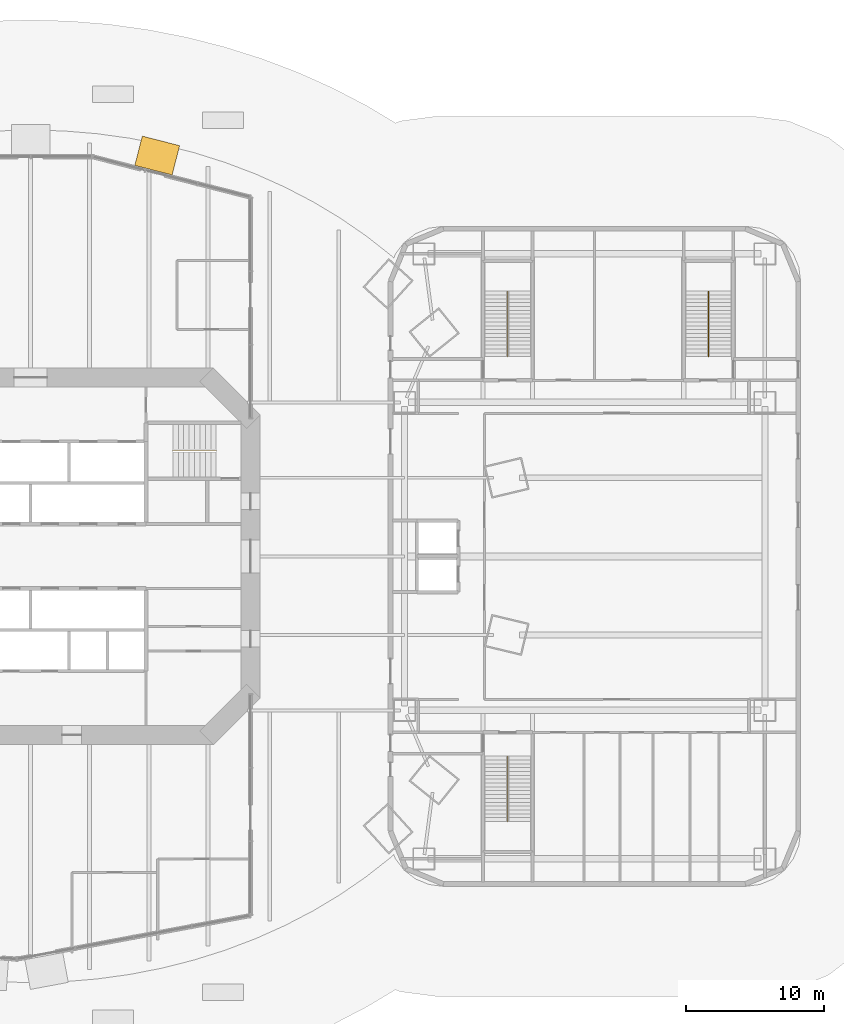
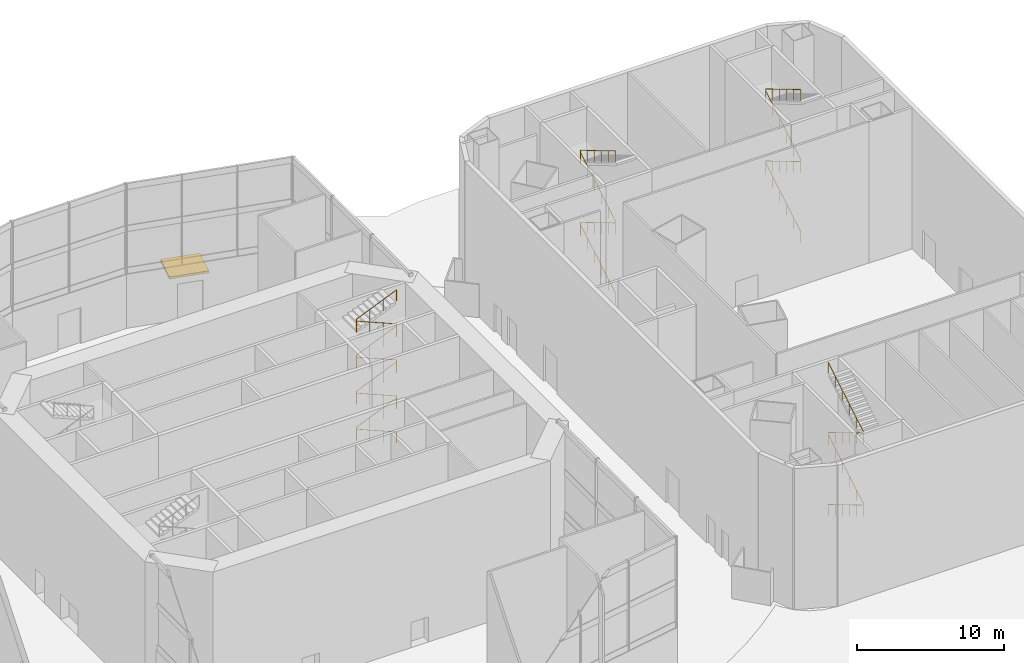
# One storey, part 22 of 23: 4 railings, 1 shading device.
"""IFC4 building model written with IfcOpenShell, lengths in metres."""

from ifc_helpers import new_model, si_unit, direction, frame, origin, origin_2d, place, context, subcontext, project, spatial, rectangle, circle, extrude, material, layer, layer_set, type_object, element, save


model = new_model("IFC4")

# Units and contexts
model_context = context("Model", 3, precision=1e-05, world=origin(), true_north=direction((0.0, 1.0)))
body_context = subcontext(model_context, "Body", "Model", "MODEL_VIEW")
ifc_project = project(units=[si_unit("LENGTHUNIT", "METRE"), si_unit("AREAUNIT", "SQUARE_METRE"), si_unit("VOLUMEUNIT", "CUBIC_METRE"), si_unit("PLANEANGLEUNIT", "RADIAN"), si_unit("MASSUNIT", "GRAM", prefix="KILO")], contexts=[model_context])

# Site, building, storey
site_placement = place(None, origin())
site = spatial("IfcSite", under=ifc_project, at=site_placement, CompositionType="ELEMENT")
building_placement = place(site_placement, origin())
building = spatial("IfcBuilding", under=site, at=building_placement, Name="Marenthal Gate Tower", CompositionType="ELEMENT")
storey_placement = place(building_placement, origin())
storey = spatial("IfcBuildingStorey", under=building, at=storey_placement, Name="L00", CompositionType="ELEMENT", Elevation=0.0)

# Shading device
ifc_material_1 = material(Name="Steel and glass canopy", Category="steel")
ifc_layer = layer(ifc_material_1, 0.179931640625)
ifc_layer_set = layer_set([ifc_layer], Name="Entrance canopy")
shading_device_type = type_object("IfcShadingDeviceType", Name="Entrance canopy", PredefinedType="USERDEFINED", material=ifc_layer_set)
shading_device_placement = place(storey_placement, frame((9.20849609375, 29.14599609375, 3.2998046875), z_axis=(0.0, 0.0, 1.0), x_axis=(0.968768898542, -0.247965362941, 0.0)))
element("IfcShadingDevice", 1, at=shading_device_placement, inside=storey, type_object=shading_device_type, Name="Entrance canopy XD-N-HALL-3", ObjectType="ENTRANCE CANOPY", PredefinedType="USERDEFINED", context=body_context, shape_type="SweptSolid", body=[
    extrude(rectangle(XDim=2.800048828125, YDim=2.199951171875, at=origin_2d()), origin(), (0.0, 0.0, 1.0), 0.179931640625),
])

# Railings
ifc_material_2 = material(Name="Stainless steel", Category="steel")
railing_type = type_object("IfcRailingType", Name="Stair handrail", PredefinedType="HANDRAIL", material=ifc_material_2)
railing_1_placement = place(storey_placement, frame((13.5, 7.675048828125, 0.166748046875)))
element("IfcRailing", 2, at=railing_1_placement, inside=storey, type_object=railing_type, Name="Handrail ST3", PredefinedType="HANDRAIL", context=body_context, shape_type="SweptSolid", body=[
    extrude(circle(Radius=0.0224609375, at=origin_2d()), frame((0.0, 0.0, 0.927490234375), z_axis=(-0.920893345203, 0.0, 0.389814631281), x_axis=(0.0, -1.0, 0.0)), (0.0, 0.0, 1.0), 3.420166015625),
    extrude(circle(Radius=0.0224609375, at=origin_2d()), frame((-3.149658203125, 0.0, 2.2607421875), z_axis=(0.0, 0.0, 1.0), x_axis=(1.0, 0.0, 0.0)), (0.0, 0.0, 1.0), 0.166748046875),
    extrude(circle(Radius=0.0224609375, at=origin_2d()), frame((-3.149658203125, 0.0, 2.427490234375), z_axis=(0.920893345203, 0.0, 0.389814631281), x_axis=(0.0, 1.0, 0.0)), (0.0, 0.0, 1.0), 3.420166015625),
    extrude(circle(Radius=0.0224609375, at=origin_2d()), frame((0.0, 0.0, 3.7607421875), z_axis=(0.0, 0.0, 1.0), x_axis=(1.0, 0.0, 0.0)), (0.0, 0.0, 1.0), 0.166748046875),
    extrude(circle(Radius=0.0224609375, at=origin_2d()), frame((0.0, 0.0, 3.927490234375), z_axis=(-0.920893345203, 0.0, 0.389814631281), x_axis=(0.0, -1.0, 0.0)), (0.0, 0.0, 1.0), 3.420166015625),
    extrude(circle(Radius=0.0224609375, at=origin_2d()), frame((-3.149658203125, 0.0, 5.2607421875), z_axis=(0.0, 0.0, 1.0), x_axis=(1.0, 0.0, 0.0)), (0.0, 0.0, 1.0), 0.166748046875),
    extrude(circle(Radius=0.0224609375, at=origin_2d()), frame((-3.149658203125, 0.0, 5.427490234375), z_axis=(0.920893345203, 0.0, 0.389814631281), x_axis=(0.0, 1.0, 0.0)), (0.0, 0.0, 1.0), 3.420166015625),
    extrude(circle(Radius=0.0224609375, at=origin_2d()), frame((0.0, 0.0, 6.7607421875), z_axis=(0.0, 0.0, 1.0), x_axis=(1.0, 0.0, 0.0)), (0.0, 0.0, 1.0), 0.166748046875),
    extrude(circle(Radius=0.0224609375, at=origin_2d()), frame((0.0, 0.0, 6.927490234375), z_axis=(-0.920893345203, 0.0, 0.389814631281), x_axis=(0.0, -1.0, 0.0)), (0.0, 0.0, 1.0), 3.420166015625),
    extrude(circle(Radius=0.0224609375, at=origin_2d()), frame((-3.149658203125, 0.0, 8.2607421875), z_axis=(0.0, 0.0, 1.0), x_axis=(1.0, 0.0, 0.0)), (0.0, 0.0, 1.0), 0.166748046875),
    extrude(circle(Radius=0.0224609375, at=origin_2d()), frame((-3.149658203125, 0.0, 8.427490234375), z_axis=(0.920893345203, 0.0, 0.389814631281), x_axis=(0.0, 1.0, 0.0)), (0.0, 0.0, 1.0), 3.420166015625),
    extrude(circle(Radius=0.0224609375, at=origin_2d()), frame((0.0, 0.0, 9.7607421875), z_axis=(0.0, 0.0, 1.0), x_axis=(1.0, 0.0, 0.0)), (0.0, 0.0, 1.0), 0.166748046875),
    extrude(circle(Radius=0.0224609375, at=origin_2d()), frame((0.0, 0.0, 9.927490234375), z_axis=(-0.920893345203, 0.0, 0.389814631281), x_axis=(0.0, -1.0, 0.0)), (0.0, 0.0, 1.0), 3.420166015625),
    extrude(circle(Radius=0.0224609375, at=origin_2d()), frame((-3.149658203125, 0.0, 11.2607421875), z_axis=(0.0, 0.0, 1.0), x_axis=(1.0, 0.0, 0.0)), (0.0, 0.0, 1.0), 0.166748046875),
    extrude(circle(Radius=0.0224609375, at=origin_2d()), frame((-3.149658203125, 0.0, 11.427490234375), z_axis=(0.920893345203, 0.0, 0.389814631281), x_axis=(0.0, 1.0, 0.0)), (0.0, 0.0, 1.0), 3.420166015625),
    extrude(circle(Radius=0.02001953125, at=origin_2d()), origin(), (0.0, 0.0, 1.0), 0.905029296875),
    extrude(circle(Radius=0.02001953125, at=origin_2d()), frame((-1.0498046875, 0.0, 0.4443359375)), (0.0, 0.0, 1.0), 0.905029296875),
    extrude(circle(Radius=0.02001953125, at=origin_2d()), frame((-2.099853515625, 0.0, 0.888916015625)), (0.0, 0.0, 1.0), 0.905029296875),
    extrude(circle(Radius=0.02001953125, at=origin_2d()), frame((-3.149658203125, 0.0, 1.333251953125)), (0.0, 0.0, 1.0), 0.905029296875),
    extrude(circle(Radius=0.02001953125, at=origin_2d()), frame((-3.149658203125, 0.0, 1.5)), (0.0, 0.0, 1.0), 0.905029296875),
    extrude(circle(Radius=0.02001953125, at=origin_2d()), frame((-2.099853515625, 0.0, 1.9443359375)), (0.0, 0.0, 1.0), 0.905029296875),
    extrude(circle(Radius=0.02001953125, at=origin_2d()), frame((-1.0498046875, 0.0, 2.388916015625)), (0.0, 0.0, 1.0), 0.905029296875),
    extrude(circle(Radius=0.02001953125, at=origin_2d()), frame((0.0, 0.0, 2.833251953125)), (0.0, 0.0, 1.0), 0.905029296875),
    extrude(circle(Radius=0.02001953125, at=origin_2d()), frame((0.0, 0.0, 3.0)), (0.0, 0.0, 1.0), 0.905029296875),
    extrude(circle(Radius=0.02001953125, at=origin_2d()), frame((-1.0498046875, 0.0, 3.4443359375)), (0.0, 0.0, 1.0), 0.905029296875),
    extrude(circle(Radius=0.02001953125, at=origin_2d()), frame((-2.099853515625, 0.0, 3.888916015625)), (0.0, 0.0, 1.0), 0.905029296875),
    extrude(circle(Radius=0.02001953125, at=origin_2d()), frame((-3.149658203125, 0.0, 4.333251953125)), (0.0, 0.0, 1.0), 0.905029296875),
    extrude(circle(Radius=0.02001953125, at=origin_2d()), frame((-3.149658203125, 0.0, 4.5)), (0.0, 0.0, 1.0), 0.905029296875),
    extrude(circle(Radius=0.02001953125, at=origin_2d()), frame((-2.099853515625, 0.0, 4.9443359375)), (0.0, 0.0, 1.0), 0.905029296875),
    extrude(circle(Radius=0.02001953125, at=origin_2d()), frame((-1.0498046875, 0.0, 5.388916015625)), (0.0, 0.0, 1.0), 0.905029296875),
    extrude(circle(Radius=0.02001953125, at=origin_2d()), frame((0.0, 0.0, 5.833251953125)), (0.0, 0.0, 1.0), 0.905029296875),
    extrude(circle(Radius=0.02001953125, at=origin_2d()), frame((0.0, 0.0, 6.0)), (0.0, 0.0, 1.0), 0.905029296875),
    extrude(circle(Radius=0.02001953125, at=origin_2d()), frame((-1.0498046875, 0.0, 6.4443359375)), (0.0, 0.0, 1.0), 0.905029296875),
    extrude(circle(Radius=0.02001953125, at=origin_2d()), frame((-2.099853515625, 0.0, 6.888916015625)), (0.0, 0.0, 1.0), 0.905029296875),
    extrude(circle(Radius=0.02001953125, at=origin_2d()), frame((-3.149658203125, 0.0, 7.333251953125)), (0.0, 0.0, 1.0), 0.905029296875),
    extrude(circle(Radius=0.02001953125, at=origin_2d()), frame((-3.149658203125, 0.0, 7.5)), (0.0, 0.0, 1.0), 0.905029296875),
    extrude(circle(Radius=0.02001953125, at=origin_2d()), frame((-2.099853515625, 0.0, 7.9443359375)), (0.0, 0.0, 1.0), 0.905029296875),
    extrude(circle(Radius=0.02001953125, at=origin_2d()), frame((-1.0498046875, 0.0, 8.388916015625)), (0.0, 0.0, 1.0), 0.905029296875),
    extrude(circle(Radius=0.02001953125, at=origin_2d()), frame((0.0, 0.0, 8.833251953125)), (0.0, 0.0, 1.0), 0.905029296875),
    extrude(circle(Radius=0.02001953125, at=origin_2d()), frame((0.0, 0.0, 9.0)), (0.0, 0.0, 1.0), 0.905029296875),
    extrude(circle(Radius=0.02001953125, at=origin_2d()), frame((-1.0498046875, 0.0, 9.4443359375)), (0.0, 0.0, 1.0), 0.905029296875),
    extrude(circle(Radius=0.02001953125, at=origin_2d()), frame((-2.099853515625, 0.0, 9.888916015625)), (0.0, 0.0, 1.0), 0.905029296875),
    extrude(circle(Radius=0.02001953125, at=origin_2d()), frame((-3.149658203125, 0.0, 10.333251953125)), (0.0, 0.0, 1.0), 0.905029296875),
    extrude(circle(Radius=0.02001953125, at=origin_2d()), frame((-3.149658203125, 0.0, 10.5)), (0.0, 0.0, 1.0), 0.905029296875),
    extrude(circle(Radius=0.02001953125, at=origin_2d()), frame((-2.099853515625, 0.0, 10.9443359375)), (0.0, 0.0, 1.0), 0.905029296875),
    extrude(circle(Radius=0.02001953125, at=origin_2d()), frame((-1.0498046875, 0.0, 11.388916015625)), (0.0, 0.0, 1.0), 0.905029296875),
    extrude(circle(Radius=0.02001953125, at=origin_2d()), frame((0.0, 0.0, 11.833251953125)), (0.0, 0.0, 1.0), 0.905029296875),
])
railing_2_placement = place(storey_placement, frame((34.699951171875, 14.52490234375, 0.166748046875)))
element("IfcRailing", 3, at=railing_2_placement, inside=storey, type_object=railing_type, Name="Handrail E1", PredefinedType="HANDRAIL", context=body_context, shape_type="SweptSolid", body=[
    extrude(circle(Radius=0.0224609375, at=origin_2d()), frame((0.0, 0.0, 0.927490234375), z_axis=(0.0, 0.859299802514, 0.511472237174), x_axis=(-1.0, 0.0, 0.0)), (0.0, 0.0, 1.0), 5.539306640625),
    extrude(circle(Radius=0.0224609375, at=origin_2d()), frame((0.0, 4.760009765625, 3.7607421875), z_axis=(0.0, 0.0, 1.0), x_axis=(1.0, 0.0, 0.0)), (0.0, 0.0, 1.0), 0.166748046875),
    extrude(circle(Radius=0.0224609375, at=origin_2d()), frame((0.0, 4.760009765625, 3.927490234375), z_axis=(0.0, -0.859299802514, 0.511472237174), x_axis=(1.0, 0.0, 0.0)), (0.0, 0.0, 1.0), 5.539306640625),
    extrude(circle(Radius=0.0224609375, at=origin_2d()), frame((0.0, 0.0, 6.7607421875), z_axis=(0.0, 0.0, 1.0), x_axis=(1.0, 0.0, 0.0)), (0.0, 0.0, 1.0), 0.166748046875),
    extrude(circle(Radius=0.0224609375, at=origin_2d()), frame((0.0, 0.0, 6.927490234375), z_axis=(0.0, 0.859299802514, 0.511472237174), x_axis=(-1.0, 0.0, 0.0)), (0.0, 0.0, 1.0), 5.539306640625),
    extrude(circle(Radius=0.0224609375, at=origin_2d()), frame((0.0, 4.760009765625, 9.7607421875), z_axis=(0.0, 0.0, 1.0), x_axis=(1.0, 0.0, 0.0)), (0.0, 0.0, 1.0), 0.166748046875),
    extrude(circle(Radius=0.0224609375, at=origin_2d()), frame((0.0, 4.760009765625, 9.927490234375), z_axis=(0.0, -0.859299802514, 0.511472237174), x_axis=(1.0, 0.0, 0.0)), (0.0, 0.0, 1.0), 5.539306640625),
    extrude(circle(Radius=0.02001953125, at=origin_2d()), origin(), (0.0, 0.0, 1.0), 0.905029296875),
    extrude(circle(Radius=0.02001953125, at=origin_2d()), frame((0.0, 0.951904296875, 0.566650390625)), (0.0, 0.0, 1.0), 0.905029296875),
    extrude(circle(Radius=0.02001953125, at=origin_2d()), frame((0.0, 1.904052734375, 1.13330078125)), (0.0, 0.0, 1.0), 0.905029296875),
    extrude(circle(Radius=0.02001953125, at=origin_2d()), frame((0.0, 2.85595703125, 1.699951171875)), (0.0, 0.0, 1.0), 0.905029296875),
    extrude(circle(Radius=0.02001953125, at=origin_2d()), frame((0.0, 3.80810546875, 2.2666015625)), (0.0, 0.0, 1.0), 0.905029296875),
    extrude(circle(Radius=0.02001953125, at=origin_2d()), frame((0.0, 4.760009765625, 2.833251953125)), (0.0, 0.0, 1.0), 0.905029296875),
    extrude(circle(Radius=0.02001953125, at=origin_2d()), frame((0.0, 4.760009765625, 3.0)), (0.0, 0.0, 1.0), 0.905029296875),
    extrude(circle(Radius=0.02001953125, at=origin_2d()), frame((0.0, 3.80810546875, 3.566650390625)), (0.0, 0.0, 1.0), 0.905029296875),
    extrude(circle(Radius=0.02001953125, at=origin_2d()), frame((0.0, 2.85595703125, 4.13330078125)), (0.0, 0.0, 1.0), 0.905029296875),
    extrude(circle(Radius=0.02001953125, at=origin_2d()), frame((0.0, 1.904052734375, 4.699951171875)), (0.0, 0.0, 1.0), 0.905029296875),
    extrude(circle(Radius=0.02001953125, at=origin_2d()), frame((0.0, 0.951904296875, 5.2666015625)), (0.0, 0.0, 1.0), 0.905029296875),
    extrude(circle(Radius=0.02001953125, at=origin_2d()), frame((0.0, 0.0, 5.833251953125)), (0.0, 0.0, 1.0), 0.905029296875),
    extrude(circle(Radius=0.02001953125, at=origin_2d()), frame((0.0, 0.0, 6.0)), (0.0, 0.0, 1.0), 0.905029296875),
    extrude(circle(Radius=0.02001953125, at=origin_2d()), frame((0.0, 0.951904296875, 6.566650390625)), (0.0, 0.0, 1.0), 0.905029296875),
    extrude(circle(Radius=0.02001953125, at=origin_2d()), frame((0.0, 1.904052734375, 7.13330078125)), (0.0, 0.0, 1.0), 0.905029296875),
    extrude(circle(Radius=0.02001953125, at=origin_2d()), frame((0.0, 2.85595703125, 7.699951171875)), (0.0, 0.0, 1.0), 0.905029296875),
    extrude(circle(Radius=0.02001953125, at=origin_2d()), frame((0.0, 3.80810546875, 8.2666015625)), (0.0, 0.0, 1.0), 0.905029296875),
    extrude(circle(Radius=0.02001953125, at=origin_2d()), frame((0.0, 4.760009765625, 8.833251953125)), (0.0, 0.0, 1.0), 0.905029296875),
    extrude(circle(Radius=0.02001953125, at=origin_2d()), frame((0.0, 4.760009765625, 9.0)), (0.0, 0.0, 1.0), 0.905029296875),
    extrude(circle(Radius=0.02001953125, at=origin_2d()), frame((0.0, 3.80810546875, 9.566650390625)), (0.0, 0.0, 1.0), 0.905029296875),
    extrude(circle(Radius=0.02001953125, at=origin_2d()), frame((0.0, 2.85595703125, 10.13330078125)), (0.0, 0.0, 1.0), 0.905029296875),
    extrude(circle(Radius=0.02001953125, at=origin_2d()), frame((0.0, 1.904052734375, 10.699951171875)), (0.0, 0.0, 1.0), 0.905029296875),
    extrude(circle(Radius=0.02001953125, at=origin_2d()), frame((0.0, 0.951904296875, 11.2666015625)), (0.0, 0.0, 1.0), 0.905029296875),
    extrude(circle(Radius=0.02001953125, at=origin_2d()), frame((0.0, 0.0, 11.833251953125)), (0.0, 0.0, 1.0), 0.905029296875),
])
railing_3_placement = place(storey_placement, frame((34.699951171875, -14.52490234375, 0.166748046875)))
element("IfcRailing", 4, at=railing_3_placement, inside=storey, type_object=railing_type, Name="Handrail E2", PredefinedType="HANDRAIL", context=body_context, shape_type="SweptSolid", body=[
    extrude(circle(Radius=0.0224609375, at=origin_2d()), frame((0.0, 0.0, 0.927490234375), z_axis=(0.0, -0.859299802514, 0.511472237174), x_axis=(1.0, 0.0, 0.0)), (0.0, 0.0, 1.0), 5.539306640625),
    extrude(circle(Radius=0.0224609375, at=origin_2d()), frame((0.0, -4.760009765625, 3.7607421875), z_axis=(0.0, 0.0, 1.0), x_axis=(1.0, 0.0, 0.0)), (0.0, 0.0, 1.0), 0.166748046875),
    extrude(circle(Radius=0.0224609375, at=origin_2d()), frame((0.0, -4.760009765625, 3.927490234375), z_axis=(0.0, 0.859299802514, 0.511472237174), x_axis=(-1.0, 0.0, 0.0)), (0.0, 0.0, 1.0), 5.539306640625),
    extrude(circle(Radius=0.0224609375, at=origin_2d()), frame((0.0, 0.0, 6.7607421875), z_axis=(0.0, 0.0, 1.0), x_axis=(1.0, 0.0, 0.0)), (0.0, 0.0, 1.0), 0.166748046875),
    extrude(circle(Radius=0.0224609375, at=origin_2d()), frame((0.0, 0.0, 6.927490234375), z_axis=(0.0, -0.859299802514, 0.511472237174), x_axis=(1.0, 0.0, 0.0)), (0.0, 0.0, 1.0), 5.539306640625),
    extrude(circle(Radius=0.0224609375, at=origin_2d()), frame((0.0, -4.760009765625, 9.7607421875), z_axis=(0.0, 0.0, 1.0), x_axis=(1.0, 0.0, 0.0)), (0.0, 0.0, 1.0), 0.166748046875),
    extrude(circle(Radius=0.0224609375, at=origin_2d()), frame((0.0, -4.760009765625, 9.927490234375), z_axis=(0.0, 0.859299802514, 0.511472237174), x_axis=(-1.0, 0.0, 0.0)), (0.0, 0.0, 1.0), 5.539306640625),
    extrude(circle(Radius=0.02001953125, at=origin_2d()), origin(), (0.0, 0.0, 1.0), 0.905029296875),
    extrude(circle(Radius=0.02001953125, at=origin_2d()), frame((0.0, -0.951904296875, 0.566650390625)), (0.0, 0.0, 1.0), 0.905029296875),
    extrude(circle(Radius=0.02001953125, at=origin_2d()), frame((0.0, -1.904052734375, 1.13330078125)), (0.0, 0.0, 1.0), 0.905029296875),
    extrude(circle(Radius=0.02001953125, at=origin_2d()), frame((0.0, -2.85595703125, 1.699951171875)), (0.0, 0.0, 1.0), 0.905029296875),
    extrude(circle(Radius=0.02001953125, at=origin_2d()), frame((0.0, -3.80810546875, 2.2666015625)), (0.0, 0.0, 1.0), 0.905029296875),
    extrude(circle(Radius=0.02001953125, at=origin_2d()), frame((0.0, -4.760009765625, 2.833251953125)), (0.0, 0.0, 1.0), 0.905029296875),
    extrude(circle(Radius=0.02001953125, at=origin_2d()), frame((0.0, -4.760009765625, 3.0)), (0.0, 0.0, 1.0), 0.905029296875),
    extrude(circle(Radius=0.02001953125, at=origin_2d()), frame((0.0, -3.80810546875, 3.566650390625)), (0.0, 0.0, 1.0), 0.905029296875),
    extrude(circle(Radius=0.02001953125, at=origin_2d()), frame((0.0, -2.85595703125, 4.13330078125)), (0.0, 0.0, 1.0), 0.905029296875),
    extrude(circle(Radius=0.02001953125, at=origin_2d()), frame((0.0, -1.904052734375, 4.699951171875)), (0.0, 0.0, 1.0), 0.905029296875),
    extrude(circle(Radius=0.02001953125, at=origin_2d()), frame((0.0, -0.951904296875, 5.2666015625)), (0.0, 0.0, 1.0), 0.905029296875),
    extrude(circle(Radius=0.02001953125, at=origin_2d()), frame((0.0, 0.0, 5.833251953125)), (0.0, 0.0, 1.0), 0.905029296875),
    extrude(circle(Radius=0.02001953125, at=origin_2d()), frame((0.0, 0.0, 6.0)), (0.0, 0.0, 1.0), 0.905029296875),
    extrude(circle(Radius=0.02001953125, at=origin_2d()), frame((0.0, -0.951904296875, 6.566650390625)), (0.0, 0.0, 1.0), 0.905029296875),
    extrude(circle(Radius=0.02001953125, at=origin_2d()), frame((0.0, -1.904052734375, 7.13330078125)), (0.0, 0.0, 1.0), 0.905029296875),
    extrude(circle(Radius=0.02001953125, at=origin_2d()), frame((0.0, -2.85595703125, 7.699951171875)), (0.0, 0.0, 1.0), 0.905029296875),
    extrude(circle(Radius=0.02001953125, at=origin_2d()), frame((0.0, -3.80810546875, 8.2666015625)), (0.0, 0.0, 1.0), 0.905029296875),
    extrude(circle(Radius=0.02001953125, at=origin_2d()), frame((0.0, -4.760009765625, 8.833251953125)), (0.0, 0.0, 1.0), 0.905029296875),
    extrude(circle(Radius=0.02001953125, at=origin_2d()), frame((0.0, -4.760009765625, 9.0)), (0.0, 0.0, 1.0), 0.905029296875),
    extrude(circle(Radius=0.02001953125, at=origin_2d()), frame((0.0, -3.80810546875, 9.566650390625)), (0.0, 0.0, 1.0), 0.905029296875),
    extrude(circle(Radius=0.02001953125, at=origin_2d()), frame((0.0, -2.85595703125, 10.13330078125)), (0.0, 0.0, 1.0), 0.905029296875),
    extrude(circle(Radius=0.02001953125, at=origin_2d()), frame((0.0, -1.904052734375, 10.699951171875)), (0.0, 0.0, 1.0), 0.905029296875),
    extrude(circle(Radius=0.02001953125, at=origin_2d()), frame((0.0, -0.951904296875, 11.2666015625)), (0.0, 0.0, 1.0), 0.905029296875),
    extrude(circle(Radius=0.02001953125, at=origin_2d()), frame((0.0, 0.0, 11.833251953125)), (0.0, 0.0, 1.0), 0.905029296875),
])
railing_4_placement = place(storey_placement, frame((49.300048828125, 14.52490234375, 0.166748046875)))
element("IfcRailing", 5, at=railing_4_placement, inside=storey, type_object=railing_type, Name="Handrail E3", PredefinedType="HANDRAIL", context=body_context, shape_type="SweptSolid", body=[
    extrude(circle(Radius=0.0224609375, at=origin_2d()), frame((0.0, 0.0, 0.927490234375), z_axis=(0.0, 0.859299802514, 0.511472237174), x_axis=(-1.0, 0.0, 0.0)), (0.0, 0.0, 1.0), 5.539306640625),
    extrude(circle(Radius=0.0224609375, at=origin_2d()), frame((0.0, 4.760009765625, 3.7607421875), z_axis=(0.0, 0.0, 1.0), x_axis=(1.0, 0.0, 0.0)), (0.0, 0.0, 1.0), 0.166748046875),
    extrude(circle(Radius=0.0224609375, at=origin_2d()), frame((0.0, 4.760009765625, 3.927490234375), z_axis=(0.0, -0.859299802514, 0.511472237174), x_axis=(1.0, 0.0, 0.0)), (0.0, 0.0, 1.0), 5.539306640625),
    extrude(circle(Radius=0.0224609375, at=origin_2d()), frame((0.0, 0.0, 6.7607421875), z_axis=(0.0, 0.0, 1.0), x_axis=(1.0, 0.0, 0.0)), (0.0, 0.0, 1.0), 0.166748046875),
    extrude(circle(Radius=0.0224609375, at=origin_2d()), frame((0.0, 0.0, 6.927490234375), z_axis=(0.0, 0.859299802514, 0.511472237174), x_axis=(-1.0, 0.0, 0.0)), (0.0, 0.0, 1.0), 5.539306640625),
    extrude(circle(Radius=0.0224609375, at=origin_2d()), frame((0.0, 4.760009765625, 9.7607421875), z_axis=(0.0, 0.0, 1.0), x_axis=(1.0, 0.0, 0.0)), (0.0, 0.0, 1.0), 0.166748046875),
    extrude(circle(Radius=0.0224609375, at=origin_2d()), frame((0.0, 4.760009765625, 9.927490234375), z_axis=(0.0, -0.859299802514, 0.511472237174), x_axis=(1.0, 0.0, 0.0)), (0.0, 0.0, 1.0), 5.539306640625),
    extrude(circle(Radius=0.02001953125, at=origin_2d()), origin(), (0.0, 0.0, 1.0), 0.905029296875),
    extrude(circle(Radius=0.02001953125, at=origin_2d()), frame((0.0, 0.951904296875, 0.566650390625)), (0.0, 0.0, 1.0), 0.905029296875),
    extrude(circle(Radius=0.02001953125, at=origin_2d()), frame((0.0, 1.904052734375, 1.13330078125)), (0.0, 0.0, 1.0), 0.905029296875),
    extrude(circle(Radius=0.02001953125, at=origin_2d()), frame((0.0, 2.85595703125, 1.699951171875)), (0.0, 0.0, 1.0), 0.905029296875),
    extrude(circle(Radius=0.02001953125, at=origin_2d()), frame((0.0, 3.80810546875, 2.2666015625)), (0.0, 0.0, 1.0), 0.905029296875),
    extrude(circle(Radius=0.02001953125, at=origin_2d()), frame((0.0, 4.760009765625, 2.833251953125)), (0.0, 0.0, 1.0), 0.905029296875),
    extrude(circle(Radius=0.02001953125, at=origin_2d()), frame((0.0, 4.760009765625, 3.0)), (0.0, 0.0, 1.0), 0.905029296875),
    extrude(circle(Radius=0.02001953125, at=origin_2d()), frame((0.0, 3.80810546875, 3.566650390625)), (0.0, 0.0, 1.0), 0.905029296875),
    extrude(circle(Radius=0.02001953125, at=origin_2d()), frame((0.0, 2.85595703125, 4.13330078125)), (0.0, 0.0, 1.0), 0.905029296875),
    extrude(circle(Radius=0.02001953125, at=origin_2d()), frame((0.0, 1.904052734375, 4.699951171875)), (0.0, 0.0, 1.0), 0.905029296875),
    extrude(circle(Radius=0.02001953125, at=origin_2d()), frame((0.0, 0.951904296875, 5.2666015625)), (0.0, 0.0, 1.0), 0.905029296875),
    extrude(circle(Radius=0.02001953125, at=origin_2d()), frame((0.0, 0.0, 5.833251953125)), (0.0, 0.0, 1.0), 0.905029296875),
    extrude(circle(Radius=0.02001953125, at=origin_2d()), frame((0.0, 0.0, 6.0)), (0.0, 0.0, 1.0), 0.905029296875),
    extrude(circle(Radius=0.02001953125, at=origin_2d()), frame((0.0, 0.951904296875, 6.566650390625)), (0.0, 0.0, 1.0), 0.905029296875),
    extrude(circle(Radius=0.02001953125, at=origin_2d()), frame((0.0, 1.904052734375, 7.13330078125)), (0.0, 0.0, 1.0), 0.905029296875),
    extrude(circle(Radius=0.02001953125, at=origin_2d()), frame((0.0, 2.85595703125, 7.699951171875)), (0.0, 0.0, 1.0), 0.905029296875),
    extrude(circle(Radius=0.02001953125, at=origin_2d()), frame((0.0, 3.80810546875, 8.2666015625)), (0.0, 0.0, 1.0), 0.905029296875),
    extrude(circle(Radius=0.02001953125, at=origin_2d()), frame((0.0, 4.760009765625, 8.833251953125)), (0.0, 0.0, 1.0), 0.905029296875),
    extrude(circle(Radius=0.02001953125, at=origin_2d()), frame((0.0, 4.760009765625, 9.0)), (0.0, 0.0, 1.0), 0.905029296875),
    extrude(circle(Radius=0.02001953125, at=origin_2d()), frame((0.0, 3.80810546875, 9.566650390625)), (0.0, 0.0, 1.0), 0.905029296875),
    extrude(circle(Radius=0.02001953125, at=origin_2d()), frame((0.0, 2.85595703125, 10.13330078125)), (0.0, 0.0, 1.0), 0.905029296875),
    extrude(circle(Radius=0.02001953125, at=origin_2d()), frame((0.0, 1.904052734375, 10.699951171875)), (0.0, 0.0, 1.0), 0.905029296875),
    extrude(circle(Radius=0.02001953125, at=origin_2d()), frame((0.0, 0.951904296875, 11.2666015625)), (0.0, 0.0, 1.0), 0.905029296875),
    extrude(circle(Radius=0.02001953125, at=origin_2d()), frame((0.0, 0.0, 11.833251953125)), (0.0, 0.0, 1.0), 0.905029296875),
])

save(model, "model.ifc")
